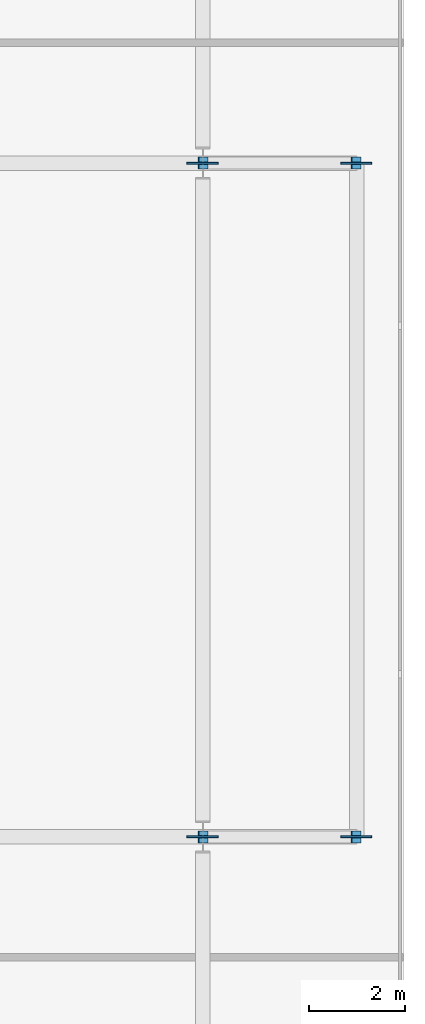
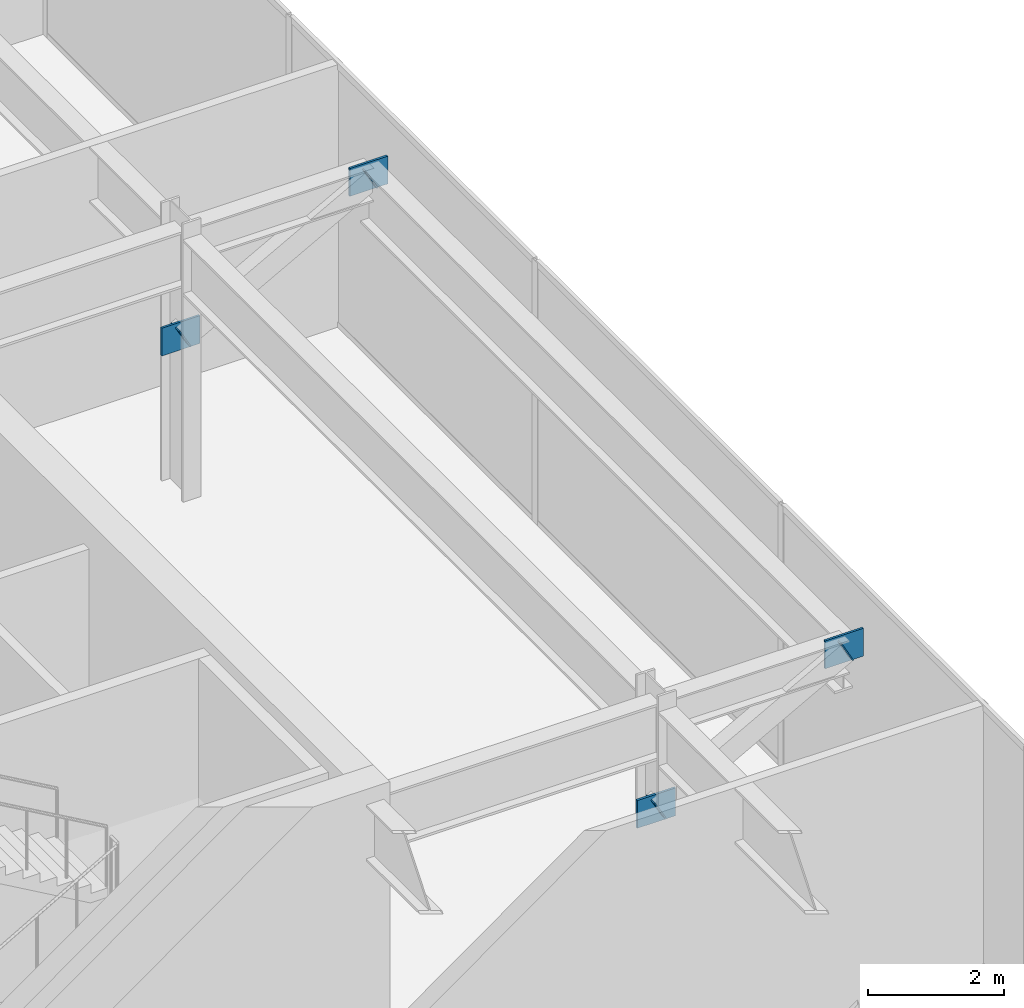
# One storey, part 17 of 23: 8 plates.
"""IFC4 building model written with IfcOpenShell, lengths in metres."""

from ifc_helpers import new_model, si_unit, direction, frame, origin, origin_2d, place, context, subcontext, project, spatial, rectangle, extrude, material, layer, layer_set, type_object, element, save


model = new_model("IFC4")

# Units and contexts
model_context = context("Model", 3, precision=1e-05, world=origin(), true_north=direction((0.0, 1.0)))
body_context = subcontext(model_context, "Body", "Model", "MODEL_VIEW")
ifc_project = project(units=[si_unit("LENGTHUNIT", "METRE"), si_unit("AREAUNIT", "SQUARE_METRE"), si_unit("VOLUMEUNIT", "CUBIC_METRE"), si_unit("PLANEANGLEUNIT", "RADIAN"), si_unit("MASSUNIT", "GRAM", prefix="KILO")], contexts=[model_context])

# Site, building, storey
site_placement = place(None, origin())
site = spatial("IfcSite", under=ifc_project, at=site_placement, CompositionType="ELEMENT")
building_placement = place(site_placement, origin())
building = spatial("IfcBuilding", under=site, at=building_placement, Name="Putna Gate Headquarters", CompositionType="ELEMENT")
storey_placement = place(building_placement, frame((0.0, 0.0, 310.39990234375)))
storey = spatial("IfcBuildingStorey", under=building, at=storey_placement, Name="L78", CompositionType="ELEMENT", Elevation=310.39990234375)

# Plates
ifc_material_1 = material(Name="Steel S355J2", Category="steel")
ifc_layer_1 = layer(ifc_material_1, 0.02001953125)
ifc_layer_set_1 = layer_set([ifc_layer_1], Name="Steel S355J2")
plate_type_1 = type_object("IfcPlateType", Name="PLT-CAP-EC-R400", PredefinedType="SHEET", material=ifc_layer_set_1)
for number, where, z_axis, x_axis, name in (
    (1, (69.9150390625, 19.0, 2.75), (0.874157276122, 0.0, 0.485642931179), (0.0, 1.0, 0.0), "L78 East Sail Cantilever Raker Y19 End Cap Start"),
    (2, (73.092529296875, 19.0, 4.490478515625), (0.879291966537, 0.0, 0.476283148541), (0.0, 1.0, 0.0), "L78 East Sail Cantilever Raker Y19 End Cap End"),
    (3, (69.9150390625, 33.0, 2.75), (0.874157276122, 0.0, 0.485642931179), (0.0, 1.0, 0.0), "L78 East Sail Cantilever Raker Y33 End Cap Start"),
    (4, (73.092529296875, 33.0, 4.490478515625), (0.879291966537, 0.0, 0.476283148541), (0.0, 1.0, 0.0), "L78 East Sail Cantilever Raker Y33 End Cap End"),
):
    element("IfcPlate", number, at=place(storey_placement, frame(where, z_axis=z_axis, x_axis=x_axis)), inside=storey, type_object=plate_type_1, Name=name, PredefinedType="SHEET", context=body_context, shape_type="SweptSolid", body=[
        extrude(rectangle(XDim=0.25, YDim=0.39990234375, at=origin_2d()), origin(), (0.0, 0.0, 1.0), 0.02001953125),
    ])
ifc_material_2 = material(Name="Steel S460M", Category="steel")
ifc_layer_2 = layer(ifc_material_2, 0.0380859375)
ifc_layer_set_2 = layer_set([ifc_layer_2], Name="Steel S460M")
plate_type_2 = type_object("IfcPlateType", Name="PLT-NODE-TN1", PredefinedType="SHEET", material=ifc_layer_set_2)
for number, where, z_axis, x_axis, name in (
    (5, (69.9150390625, 19.0, 2.5), (0.0, 0.0, 1.0), (1.0, 0.0, 0.0), "L78 Sail Raker Node Plate TN1 Y19-1"),
    (6, (73.110107421875, 19.0, 4.25), (0.0, 0.0, 1.0), (1.0, 0.0, 0.0), "L78 Sail Raker Node Plate TN1 Y19-2"),
    (7, (69.9150390625, 33.0, 2.5), (0.0, 0.0, 1.0), (1.0, 0.0, 0.0), "L78 Sail Raker Node Plate TN1 Y33-1"),
    (8, (73.110107421875, 33.0, 4.25), (0.0, 0.0, 1.0), (1.0, 0.0, 0.0), "L78 Sail Raker Node Plate TN1 Y33-2"),
):
    element("IfcPlate", number, at=place(storey_placement, frame(where, z_axis=z_axis, x_axis=x_axis)), inside=storey, type_object=plate_type_2, Name=name, PredefinedType="SHEET", context=body_context, shape_type="SweptSolid", body=[
        extrude(rectangle(XDim=0.64990234375, YDim=0.0380859375, at=origin_2d()), origin(), (0.0, 0.0, 1.0), 0.5),
    ])

save(model, "model.ifc")
